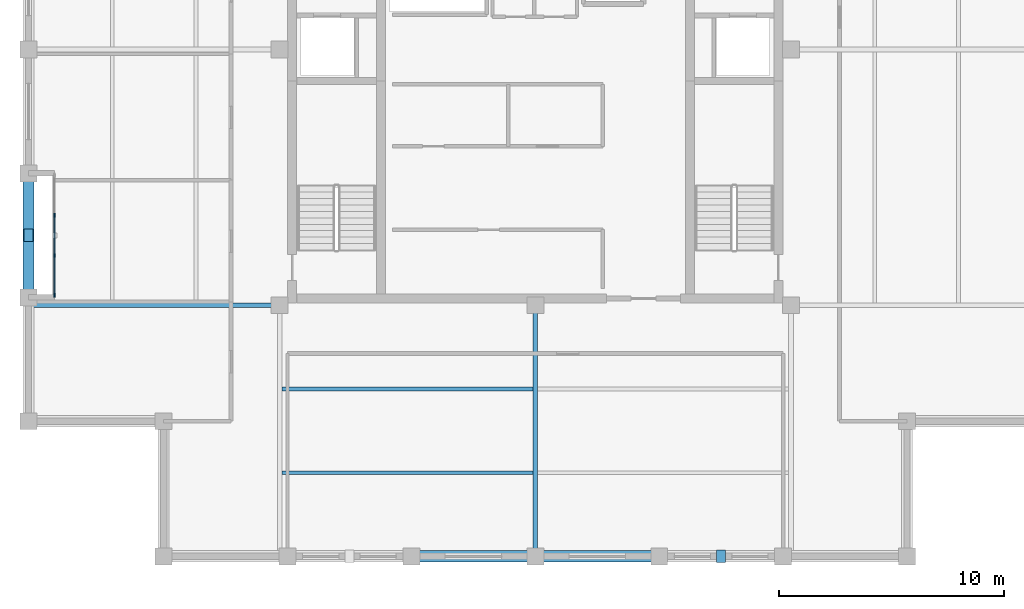
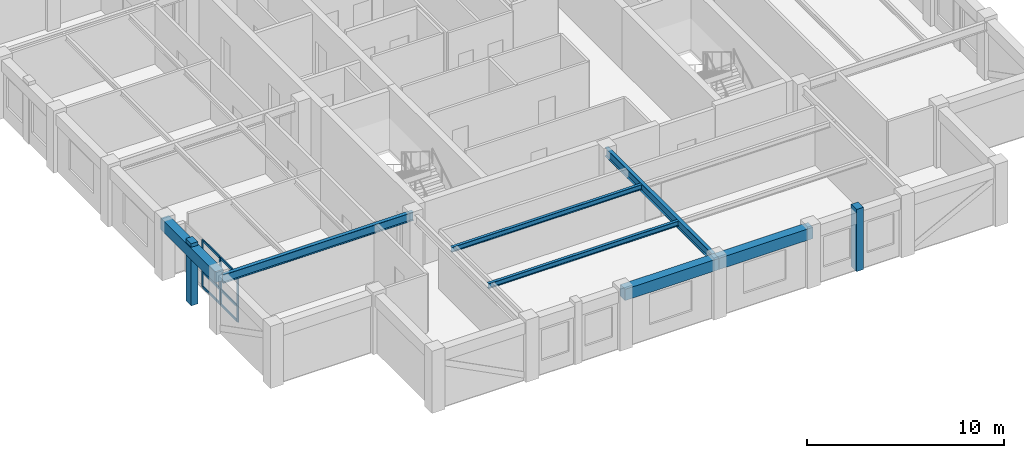
# One storey, part 2 of 10: 11 members, 7 beams, 1 element without a shape of its own.
"""IFC4 building model written with IfcOpenShell, lengths in metres."""

from ifc_helpers import new_model, si_unit, direction, frame, origin, origin_2d, place, context, subcontext, project, spatial, rectangle, i_section, extrude, material, layer, layer_set, material_profile, profile_set, type_object, element, aggregate, save


model = new_model("IFC4")

# Units and contexts
model_context = context("Model", 3, precision=1e-05, world=origin(), true_north=direction((0.0, 1.0)))
body_context = subcontext(model_context, "Body", "Model", "MODEL_VIEW")
ifc_project = project(units=[si_unit("LENGTHUNIT", "METRE"), si_unit("AREAUNIT", "SQUARE_METRE"), si_unit("VOLUMEUNIT", "CUBIC_METRE"), si_unit("PLANEANGLEUNIT", "RADIAN"), si_unit("MASSUNIT", "GRAM", prefix="KILO")], contexts=[model_context])

# Site, building, storey
site_placement = place(None, origin())
site = spatial("IfcSite", under=ifc_project, at=site_placement, CompositionType="ELEMENT")
building_placement = place(site_placement, origin())
building = spatial("IfcBuilding", under=site, at=building_placement, Name="Nhamokura Convention Tower", CompositionType="ELEMENT")
storey_placement = place(building_placement, frame((0.0, 0.0, 304.5)))
storey = spatial("IfcBuildingStorey", under=building, at=storey_placement, Name="L75", CompositionType="ELEMENT", Elevation=304.5)

# Members
ifc_material_1 = material(Name="Bronze-pigmented precast concrete C45/55", Category="concrete")
ifc_material_profile_1 = material_profile(ifc_material_1, rectangle(XDim=0.39990234375, YDim=0.550048828125, at=origin_2d()))
ifc_profile_set_1 = profile_set([ifc_material_profile_1], Name="Bronze-pigmented precast concrete C45/55")
member_type_1 = type_object("IfcMemberType", Name="BronzePilaster_550", PredefinedType="USERDEFINED", material=ifc_profile_set_1)
for number, where, z_axis, x_axis, name in (
    (1, (40.25, 9.5, 0.0), (0.0, 0.0, 1.0), (1.0, 0.0, 0.0), "L75 Engaged Frame Pilaster SOUTH 4"),
    (2, (9.5, 23.75, 0.0), (0.0, 0.0, 1.0), (1.0, 0.0, 0.0), "L75 Engaged Frame Pilaster WEST 1"),
):
    element("IfcMember", number, at=place(storey_placement, frame(where, z_axis=z_axis, x_axis=x_axis)), inside=storey, type_object=member_type_1, Name=name, ObjectType="PILASTER_TRIM", PredefinedType="USERDEFINED", context=body_context, shape_type="SweptSolid", body=[
        extrude(rectangle(XDim=0.39990234375, YDim=0.550048828125, at=origin_2d()), origin(), (0.0, 0.0, 1.0), 3.85009765625),
    ])

# Curtain wall, members
ifc_material_2 = material(Name="Anodised bronze aluminium AA6063-T6", Category="aluminium")
ifc_layer = layer(ifc_material_2, 0.155029296875)
ifc_layer_set = layer_set([ifc_layer], Name="CWSystem_ScaleSlot_Zone3")
curtain_wall_type = type_object("IfcCurtainWallType", Name="CWSystem_ScaleSlot_Zone3", PredefinedType="NOTDEFINED", material=ifc_layer_set)
curtain_wall_placement = place(storey_placement, origin())
curtain_wall = element("IfcCurtainWall", 3, at=curtain_wall_placement, inside=storey, type_object=curtain_wall_type, Name="L75 Curtain Wall ENV-L75-SLOT-W1", PredefinedType="NOTDEFINED")
ifc_material_3 = material(Name="Anodised bronze aluminium AA6063-T6", Category="aluminium")
ifc_material_profile_2 = material_profile(ifc_material_3, rectangle(XDim=0.06494140625, YDim=0.1650390625, at=origin_2d()))
ifc_profile_set_2 = profile_set([ifc_material_profile_2], Name="Anodised bronze aluminium AA6063-T6")
member_type_2 = type_object("IfcMemberType", Name="CWMullion_3", PredefinedType="MULLION", material=ifc_profile_set_2)
member_1_placement = place(storey_placement, frame((10.64990234375, 21.092529296875, 0.0), z_axis=(0.0, 0.0, 1.0), x_axis=(-1.0, 0.0, 0.0)))
member_1 = element("IfcMember", 4, at=member_1_placement, type_object=member_type_2, Name="CW-05 mullion 1", PredefinedType="MULLION", context=body_context, shape_type="SweptSolid", body=[
    extrude(rectangle(XDim=0.06494140625, YDim=0.1650390625, at=origin_2d()), origin(), (0.0, 0.0, 1.0), 2.929931640625),
])
member_2_placement = place(storey_placement, frame((10.64990234375, 22.853271484375, 0.0), z_axis=(0.0, 0.0, 1.0), x_axis=(-1.0, 0.0, 0.0)))
member_2 = element("IfcMember", 5, at=member_2_placement, type_object=member_type_2, Name="CW-05 mullion 2", PredefinedType="MULLION", context=body_context, shape_type="SweptSolid", body=[
    extrude(rectangle(XDim=0.06494140625, YDim=0.1650390625, at=origin_2d()), origin(), (0.0, 0.0, 1.0), 2.929931640625),
])
member_3_placement = place(storey_placement, frame((10.64990234375, 24.646728515625, 0.0), z_axis=(0.0, 0.0, 1.0), x_axis=(-1.0, 0.0, 0.0)))
member_3 = element("IfcMember", 6, at=member_3_placement, type_object=member_type_2, Name="CW-05 mullion 3", PredefinedType="MULLION", context=body_context, shape_type="SweptSolid", body=[
    extrude(rectangle(XDim=0.06494140625, YDim=0.1650390625, at=origin_2d()), origin(), (0.0, 0.0, 1.0), 2.929931640625),
])
ifc_material_4 = material(Name="Anodised bronze aluminium AA6063-T6", Category="aluminium")
ifc_material_profile_3 = material_profile(ifc_material_4, rectangle(XDim=0.06494140625, YDim=0.139892578125, at=origin_2d()))
ifc_profile_set_3 = profile_set([ifc_material_profile_3], Name="Anodised bronze aluminium AA6063-T6")
member_type_3 = type_object("IfcMemberType", Name="CWTransom_3", PredefinedType="USERDEFINED", material=ifc_profile_set_3)
member_4_placement = place(storey_placement, frame((10.64990234375, 21.125, 0.032470703125), z_axis=(0.0, 1.0, 0.0), x_axis=(-1.0, 0.0, 0.0)))
member_4 = element("IfcMember", 7, at=member_4_placement, type_object=member_type_3, Name="CW-05 transom 1.1", ObjectType="TRANSOM", PredefinedType="USERDEFINED", context=body_context, shape_type="SweptSolid", body=[
    extrude(rectangle(XDim=0.06494140625, YDim=0.139892578125, at=origin_2d()), origin(), (0.0, 0.0, 1.0), 1.69580078125),
])
member_5_placement = place(storey_placement, frame((10.64990234375, 21.125, 0.949951171875), z_axis=(0.0, 1.0, 0.0), x_axis=(-1.0, 0.0, 0.0)))
member_5 = element("IfcMember", 8, at=member_5_placement, type_object=member_type_3, Name="CW-05 transom 1.2", ObjectType="TRANSOM", PredefinedType="USERDEFINED", context=body_context, shape_type="SweptSolid", body=[
    extrude(rectangle(XDim=0.06494140625, YDim=0.139892578125, at=origin_2d()), origin(), (0.0, 0.0, 1.0), 1.69580078125),
])
member_6_placement = place(storey_placement, frame((10.64990234375, 21.125, 2.8974609375), z_axis=(0.0, 1.0, 0.0), x_axis=(-1.0, 0.0, 0.0)))
member_6 = element("IfcMember", 9, at=member_6_placement, type_object=member_type_3, Name="CW-05 transom 1.3", ObjectType="TRANSOM", PredefinedType="USERDEFINED", context=body_context, shape_type="SweptSolid", body=[
    extrude(rectangle(XDim=0.06494140625, YDim=0.139892578125, at=origin_2d()), origin(), (0.0, 0.0, 1.0), 1.69580078125),
])
member_7_placement = place(storey_placement, frame((10.64990234375, 22.8857421875, 0.032470703125), z_axis=(0.0, 1.0, 0.0), x_axis=(-1.0, 0.0, 0.0)))
member_7 = element("IfcMember", 10, at=member_7_placement, type_object=member_type_3, Name="CW-05 transom 2.1", ObjectType="TRANSOM", PredefinedType="USERDEFINED", context=body_context, shape_type="SweptSolid", body=[
    extrude(rectangle(XDim=0.06494140625, YDim=0.139892578125, at=origin_2d()), origin(), (0.0, 0.0, 1.0), 1.728515625),
])
member_8_placement = place(storey_placement, frame((10.64990234375, 22.8857421875, 0.949951171875), z_axis=(0.0, 1.0, 0.0), x_axis=(-1.0, 0.0, 0.0)))
member_8 = element("IfcMember", 11, at=member_8_placement, type_object=member_type_3, Name="CW-05 transom 2.2", ObjectType="TRANSOM", PredefinedType="USERDEFINED", context=body_context, shape_type="SweptSolid", body=[
    extrude(rectangle(XDim=0.06494140625, YDim=0.139892578125, at=origin_2d()), origin(), (0.0, 0.0, 1.0), 1.728515625),
])
member_9_placement = place(storey_placement, frame((10.64990234375, 22.8857421875, 2.8974609375), z_axis=(0.0, 1.0, 0.0), x_axis=(-1.0, 0.0, 0.0)))
member_9 = element("IfcMember", 12, at=member_9_placement, type_object=member_type_3, Name="CW-05 transom 2.3", ObjectType="TRANSOM", PredefinedType="USERDEFINED", context=body_context, shape_type="SweptSolid", body=[
    extrude(rectangle(XDim=0.06494140625, YDim=0.139892578125, at=origin_2d()), origin(), (0.0, 0.0, 1.0), 1.728515625),
])
aggregate(curtain_wall, [member_1, member_2, member_3, member_4, member_5, member_6, member_7, member_8, member_9])

# Beams
ifc_material_5 = material(Name="Steel ASTM A992 Gr 50", Category="steel")
ifc_material_profile_4 = material_profile(ifc_material_5, i_section(OverallWidth=0.166015625, OverallDepth=0.31298828125, WebThickness=0.006591796875, FlangeThickness=0.01123046875, at=origin_2d()))
ifc_profile_set_4 = profile_set([ifc_material_profile_4], Name="Steel ASTM A992 Gr 50")
beam_type_1 = type_object("IfcBeamType", Name="FloorJoist_W310X45", PredefinedType="JOIST", material=ifc_profile_set_4)
for number, where, z_axis, x_axis, name in (
    (13, (20.75244140625, 13.216796875, 3.473388671875), (1.0, 0.0, 0.0), (0.0, 1.0, 0.0), "L75 Composite Floor Joist S1A"),
    (14, (20.75244140625, 16.933349609375, 3.473388671875), (1.0, 0.0, 0.0), (0.0, 1.0, 0.0), "L75 Composite Floor Joist S2A"),
):
    element("IfcBeam", number, at=place(storey_placement, frame(where, z_axis=z_axis, x_axis=x_axis)), inside=storey, type_object=beam_type_1, Name=name, PredefinedType="JOIST", context=body_context, shape_type="SweptSolid", body=[
        extrude(i_section(OverallWidth=0.166015625, OverallDepth=0.31298828125, WebThickness=0.006591796875, FlangeThickness=0.01123046875, at=origin_2d()), origin(), (0.0, 0.0, 1.0), 11.14501953125),
    ])
ifc_material_6 = material(Name="Steel ASTM A992 Gr 50", Category="steel")
ifc_material_profile_5 = material_profile(ifc_material_6, i_section(OverallWidth=0.208984375, OverallDepth=0.532958984375, WebThickness=0.01025390625, FlangeThickness=0.015625, at=origin_2d()))
ifc_profile_set_5 = profile_set([ifc_material_profile_5], Name="Steel ASTM A992 Gr 50")
beam_type_2 = type_object("IfcBeamType", Name="PrimaryGirder_W530X92", PredefinedType="BEAM", material=ifc_profile_set_5)
for number, where, z_axis, x_axis, name in (
    (15, (32.0, 9.5, 3.363525390625), (0.0, 1.0, 0.0), (-1.0, 0.0, 0.0), "L75 Primary Floor Girder PG-S2"),
    (16, (9.5, 20.64990234375, 3.363525390625), (1.0, 0.0, 0.0), (0.0, 1.0, 0.0), "L75 Primary Floor Girder PG-W1"),
):
    element("IfcBeam", number, at=place(storey_placement, frame(where, z_axis=z_axis, x_axis=x_axis)), inside=storey, type_object=beam_type_2, Name=name, PredefinedType="BEAM", context=body_context, shape_type="SweptSolid", body=[
        extrude(i_section(OverallWidth=0.208984375, OverallDepth=0.532958984375, WebThickness=0.01025390625, FlangeThickness=0.015625, at=origin_2d()), origin(), (0.0, 0.0, 1.0), 11.14990234375),
    ])
ifc_material_7 = material(Name="Concrete C50/60", Category="concrete")
ifc_material_profile_6 = material_profile(ifc_material_7, rectangle(XDim=0.5, YDim=0.699951171875, at=origin_2d()))
ifc_profile_set_6 = profile_set([ifc_material_profile_6], Name="Concrete C50/60")
beam_type_3 = type_object("IfcBeamType", Name="TubeSpandrel_700", PredefinedType="SPANDREL", material=ifc_profile_set_6)
for number, where, z_axis, x_axis, name in (
    (17, (26.5, 9.5, 3.280029296875), (1.0, 0.0, 0.0), (0.0, 1.0, 0.0), "L75 Perimeter Spandrel SOUTH 3"),
    (18, (32.0, 9.5, 3.280029296875), (1.0, 0.0, 0.0), (0.0, 1.0, 0.0), "L75 Perimeter Spandrel SOUTH 4"),
    (19, (9.5, 21.0, 3.280029296875), (0.0, 1.0, 0.0), (-1.0, 0.0, 0.0), "L75 Perimeter Spandrel WEST 2"),
):
    element("IfcBeam", number, at=place(storey_placement, frame(where, z_axis=z_axis, x_axis=x_axis)), inside=storey, type_object=beam_type_3, Name=name, PredefinedType="SPANDREL", context=body_context, shape_type="SweptSolid", body=[
        extrude(rectangle(XDim=0.5, YDim=0.699951171875, at=origin_2d()), origin(), (0.0, 0.0, 1.0), 5.5),
    ])

save(model, "model.ifc")
